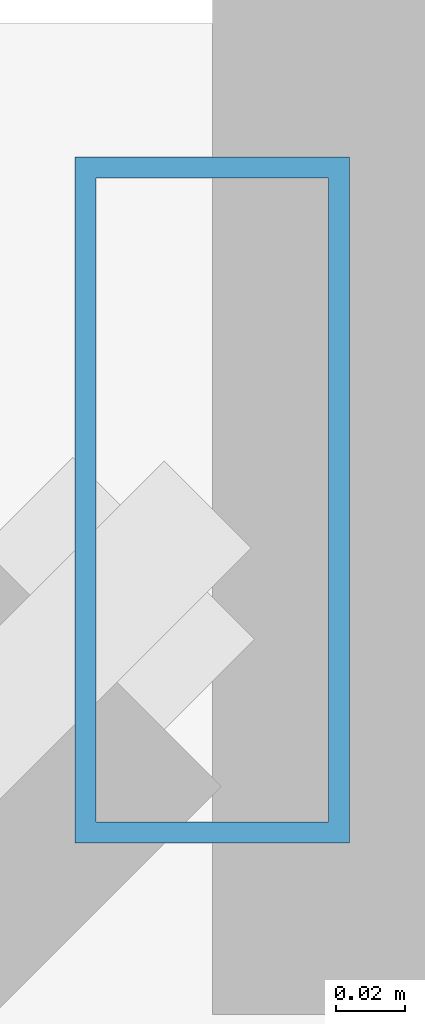
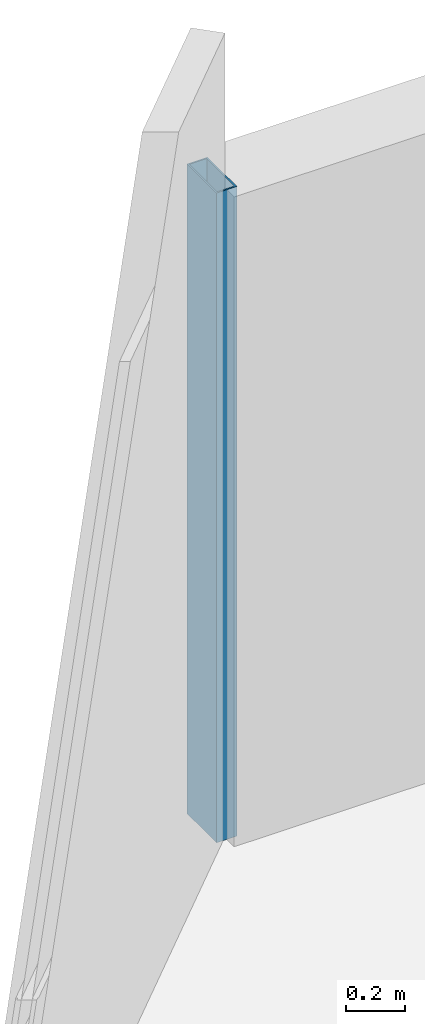
# One storey, part 16 of 32: 1 member, 1 element without a shape of its own.
"""IFC4 building model written with IfcOpenShell, lengths in metres."""

from ifc_helpers import new_model, si_unit, direction, frame, origin, origin_2d, place, context, subcontext, project, spatial, hollow_rectangle, extrude, material, material_profile, profile_set, type_object, element, aggregate, save


model = new_model("IFC4")

# Units and contexts
model_context = context("Model", 3, precision=1e-05, world=origin(), true_north=direction((0.0, 1.0)))
body_context = subcontext(model_context, "Body", "Model", "MODEL_VIEW")
ifc_project = project(units=[si_unit("LENGTHUNIT", "METRE"), si_unit("AREAUNIT", "SQUARE_METRE"), si_unit("VOLUMEUNIT", "CUBIC_METRE"), si_unit("PLANEANGLEUNIT", "RADIAN"), si_unit("MASSUNIT", "GRAM", prefix="KILO")], contexts=[model_context])

# Site, building, storey
site_placement = place(None, origin())
site = spatial("IfcSite", under=ifc_project, at=site_placement, CompositionType="ELEMENT")
building_placement = place(site_placement, origin())
building = spatial("IfcBuilding", under=site, at=building_placement, Name="Thornwick Lancets Civic Towers", CompositionType="ELEMENT")
storey_placement = place(building_placement, frame((0.0, 0.0, 156.300048828125)))
storey = spatial("IfcBuildingStorey", under=building, at=storey_placement, Name="L41", CompositionType="ELEMENT", Elevation=156.300048828125)

# Curtain wall, member
ifc_material_1 = material(Name="Mid-zone chamfered-corner unitised glass curtain wall", Category="glass")
curtain_wall_type = type_object("IfcCurtainWallType", Name="CW_SYS_04", PredefinedType="NOTDEFINED", material=ifc_material_1)
curtain_wall_placement = place(storey_placement, origin())
curtain_wall = element("IfcCurtainWall", 1, at=curtain_wall_placement, inside=storey, type_object=curtain_wall_type, Name="L41 Curtain Wall CW-L41-B-E5", PredefinedType="NOTDEFINED")
ifc_material_2 = material(Name="Thermally broken bronze aluminium S355", Category="steel")
ifc_material_profile = material_profile(ifc_material_2, hollow_rectangle(XDim=0.080078125, YDim=0.199951171875, WallThickness=0.006103515625, at=origin_2d()), Name="RHS 200x80x6")
ifc_profile_set = profile_set([ifc_material_profile], Name="Thermally broken bronze aluminium S355")
member_type = type_object("IfcMemberType", Name="CW_MUL_200", PredefinedType="MULLION", material=ifc_profile_set)
member_placement = place(storey_placement, frame((74.42236328125, 50.760986328125, 0.0), z_axis=(0.0, 0.0, 1.0), x_axis=(1.0, 0.0, 0.0)))
member = element("IfcMember", 2, at=member_placement, type_object=member_type, Name="CW-L41-B-E5 Mullion 0", PredefinedType="MULLION", context=body_context, shape_type="SweptSolid", body=[
    extrude(hollow_rectangle(XDim=0.080078125, YDim=0.199951171875, WallThickness=0.006103515625, at=origin_2d()), origin(), (0.0, 0.0, 1.0), 2.699951171875),
])
aggregate(curtain_wall, [member])

save(model, "model.ifc")
